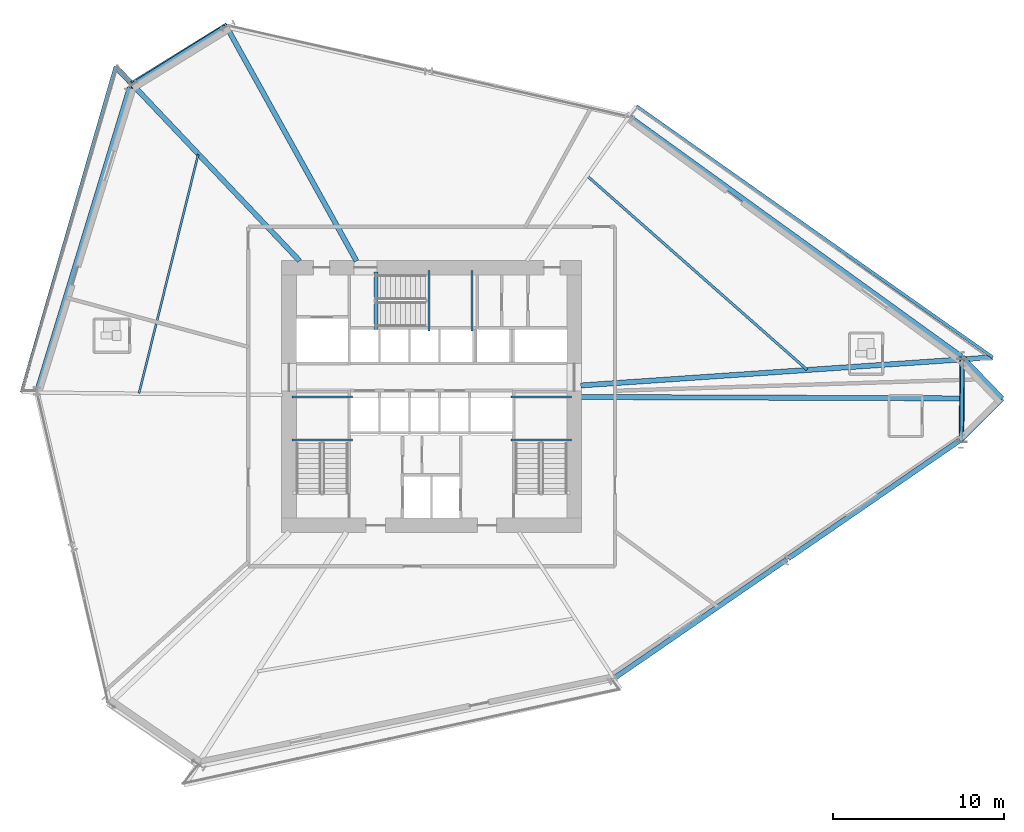
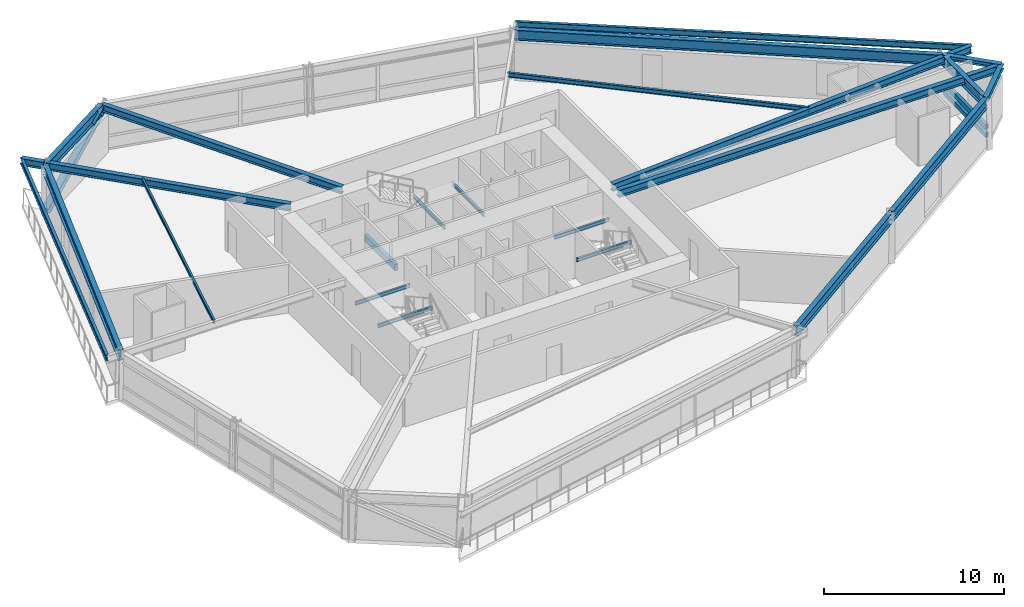
# One storey, part 7 of 23: 23 beams, 3 members.
"""IFC4 building model written with IfcOpenShell, lengths in metres."""

from ifc_helpers import new_model, si_unit, direction, frame, origin, origin_2d, place, context, subcontext, project, spatial, rectangle, hollow_rectangle, i_section, extrude, source, transform, mapped, material, material_profile, profile_set, type_object, element, save


model = new_model("IFC4")

# Units and contexts
model_context = context("Model", 3, precision=1e-05, world=origin(), true_north=direction((0.0, 1.0)))
body_context = subcontext(model_context, "Body", "Model", "MODEL_VIEW")
ifc_project = project(units=[si_unit("LENGTHUNIT", "METRE"), si_unit("AREAUNIT", "SQUARE_METRE"), si_unit("VOLUMEUNIT", "CUBIC_METRE"), si_unit("PLANEANGLEUNIT", "RADIAN"), si_unit("MASSUNIT", "GRAM", prefix="KILO")], contexts=[model_context])

# Site, building, storey
site_placement = place(None, origin())
site = spatial("IfcSite", under=ifc_project, at=site_placement, CompositionType="ELEMENT")
building_placement = place(site_placement, origin())
building = spatial("IfcBuilding", under=site, at=building_placement, Name="Olszyna Solenne Hotel", CompositionType="ELEMENT")
storey_placement = place(building_placement, frame((0.0, 0.0, 32.85009765625)))
storey = spatial("IfcBuildingStorey", under=building, at=storey_placement, Name="L07", CompositionType="ELEMENT", Elevation=32.85009765625)

# Beams
ifc_material_1 = material(Name="Steel S355J2", Category="steel")
ifc_material_profile_1 = material_profile(ifc_material_1, i_section(OverallWidth=0.300048828125, OverallDepth=0.699951171875, WebThickness=0.01708984375, FlangeThickness=0.031982421875, at=origin_2d()), Name="HEB 700", Category="load-bearing")
ifc_profile_set_1 = profile_set([ifc_material_profile_1], Name="Steel S355J2")
beam_type_1 = type_object("IfcBeamType", Name="BM-S1", PredefinedType="BEAM", material=ifc_profile_set_1)
shared_shape_1 = source(origin(), body_context, "Body", "SweptSolid", [
    extrude(i_section(OverallWidth=0.300048828125, OverallDepth=0.699951171875, WebThickness=0.01708984375, FlangeThickness=0.031982421875, at=origin_2d()), origin(), (0.0, 0.0, 1.0), 4.664794921875),
])
beam_1_placement = place(storey_placement, frame((68.92431640625, 24.169921875, 2.949951171875), z_axis=(0.008688042231, 0.999962258249, 0.0), x_axis=(-0.999962258249, 0.008688042231, 0.0)))
element("IfcBeam", 1, at=beam_1_placement, inside=storey, type_object=beam_type_1, Name="Perimeter spandrel beam BM-S1 B-L07-0231", PredefinedType="BEAM", context=body_context, shape_type="MappedRepresentation", body=[
    mapped(shared_shape_1, transform((0.0, 0.0, 0.0), x_axis=(1.0, 0.0, 0.0), y_axis=(0.0, 1.0, 0.0), z_axis=(0.0, 0.0, 1.0), scale=1.0)),
])
shared_shape_2 = source(origin(), body_context, "Body", "SweptSolid", [
    extrude(i_section(OverallWidth=0.300048828125, OverallDepth=0.699951171875, WebThickness=0.01708984375, FlangeThickness=0.031982421875, at=origin_2d()), origin(), (0.0, 0.0, 1.0), 12.20947265625),
])
for number, where, z_axis, x_axis, name in (
    (2, (48.661376953125, 10.162353515625, 2.949951171875), (0.823713894742, 0.567005661002, 0.0), (-0.567005661002, 0.823713894742, 0.0), "Perimeter spandrel beam BM-S1 B-L07-0241"),
    (3, (58.817138671875, 17.153076171875, 2.949951171875), (0.823713894742, 0.567005661002, 0.0), (-0.567005661002, 0.823713894742, 0.0), "Perimeter spandrel beam BM-S1 B-L07-0242"),
):
    element("IfcBeam", number, at=place(storey_placement, frame(where, z_axis=z_axis, x_axis=x_axis)), inside=storey, type_object=beam_type_1, Name=name, PredefinedType="BEAM", context=body_context, shape_type="MappedRepresentation", body=[
        mapped(shared_shape_2, transform((0.0, 0.0, 0.0), x_axis=(1.0, 0.0, 0.0), y_axis=(0.0, 1.0, 0.0), z_axis=(0.0, 0.0, 1.0), scale=1.0)),
    ])
ifc_material_profile_2 = material_profile(ifc_material_1, i_section(OverallWidth=0.300048828125, OverallDepth=0.31005859375, WebThickness=0.009033203125, FlangeThickness=0.015380859375, at=origin_2d()), Name="HEA 320", Category="load-bearing")
ifc_profile_set_2 = profile_set([ifc_material_profile_2], Name="Steel S355J2")
beam_type_2 = type_object("IfcBeamType", Name="BM-G3", PredefinedType="BEAM", material=ifc_profile_set_2)
shared_shape_3 = source(origin(), body_context, "Body", "SweptSolid", [
    extrude(i_section(OverallWidth=0.300048828125, OverallDepth=0.31005859375, WebThickness=0.009033203125, FlangeThickness=0.015380859375, at=origin_2d()), origin(), (0.0, 0.0, 1.0), 3.353515625),
])
for number, where, z_axis, x_axis, name in (
    (4, (68.923583984375, 24.10986328125, 3.14501953125), (0.706961166121, 0.707252366272, 0.0), (-0.707252366272, 0.706961166121, 0.0), "Prism side edge beam BM-G3 B-L07-0252"),
    (5, (68.96533203125, 28.894287109375, 3.14501953125), (0.694547738625, -0.719446619821, 0.0), (0.719446619821, 0.694547738625, 0.0), "Prism side edge beam BM-G3 B-L07-0253"),
):
    element("IfcBeam", number, at=place(storey_placement, frame(where, z_axis=z_axis, x_axis=x_axis)), inside=storey, type_object=beam_type_2, Name=name, PredefinedType="BEAM", context=body_context, shape_type="MappedRepresentation", body=[
        mapped(shared_shape_3, transform((0.0, 0.0, 0.0), x_axis=(1.0, 0.0, 0.0), y_axis=(0.0, 1.0, 0.0), z_axis=(0.0, 0.0, 1.0), scale=1.0)),
    ])
ifc_material_profile_3 = material_profile(ifc_material_1, i_section(OverallWidth=0.179931640625, OverallDepth=0.39990234375, WebThickness=0.008544921875, FlangeThickness=0.013427734375, at=origin_2d()), Name="IPE 400", Category="load-bearing")
ifc_profile_set_3 = profile_set([ifc_material_profile_3], Name="Steel S355J2")
beam_type_3 = type_object("IfcBeamType", Name="BM-F5", PredefinedType="BEAM", material=ifc_profile_set_3)
shared_shape_4 = source(origin(), body_context, "Body", "SweptSolid", [
    extrude(i_section(OverallWidth=0.179931640625, OverallDepth=0.39990234375, WebThickness=0.008544921875, FlangeThickness=0.013427734375, at=origin_2d()), origin(), (0.0, 0.0, 1.0), 19.792724609375),
])
beam_2_placement = place(storey_placement, frame((19.5478515625, 45.855224609375, 3.099853515625), z_axis=(-0.277002758663, -0.960869123082, 0.0), x_axis=(0.960869123082, -0.277002758663, 0.0)))
element("IfcBeam", 6, at=beam_2_placement, inside=storey, type_object=beam_type_3, Name="Loggia outer edge beam BM-F5 B-L07-0258", PredefinedType="BEAM", context=body_context, shape_type="MappedRepresentation", body=[
    mapped(shared_shape_4, transform((0.0, 0.0, 0.0), x_axis=(1.0, 0.0, 0.0), y_axis=(0.0, 1.0, 0.0), z_axis=(0.0, 0.0, 1.0), scale=1.0)),
])
shared_shape_5 = source(origin(), body_context, "Body", "SweptSolid", [
    extrude(i_section(OverallWidth=0.300048828125, OverallDepth=0.699951171875, WebThickness=0.01708984375, FlangeThickness=0.031982421875, at=origin_2d()), origin(), (0.0, 0.0, 1.0), 23.912109375),
])
beam_3_placement = place(storey_placement, frame((68.916748046875, 28.929443359375, 2.949951171875), z_axis=(-0.810666843784, 0.585507701392, 0.0), x_axis=(-0.585507701392, -0.810666843784, 0.0)))
element("IfcBeam", 7, at=beam_3_placement, inside=storey, type_object=beam_type_1, Name="Perimeter spandrel beam BM-S1 B-L07-0232", PredefinedType="BEAM", context=body_context, shape_type="MappedRepresentation", body=[
    mapped(shared_shape_5, transform((0.0, 0.0, 0.0), x_axis=(1.0, 0.0, 0.0), y_axis=(0.0, 1.0, 0.0), z_axis=(0.0, 0.0, 1.0), scale=1.0)),
])
shared_shape_6 = source(origin(), body_context, "Body", "SweptSolid", [
    extrude(i_section(OverallWidth=0.300048828125, OverallDepth=0.699951171875, WebThickness=0.01708984375, FlangeThickness=0.031982421875, at=origin_2d()), origin(), (0.0, 0.0, 1.0), 6.51123046875),
])
beam_4_placement = place(storey_placement, frame((25.97509765625, 48.156982421875, 2.949951171875), z_axis=(-0.848488754051, -0.529213410874, 0.0), x_axis=(0.529213410874, -0.848488754051, 0.0)))
element("IfcBeam", 8, at=beam_4_placement, inside=storey, type_object=beam_type_1, Name="Perimeter spandrel beam BM-S1 B-L07-0235", PredefinedType="BEAM", context=body_context, shape_type="MappedRepresentation", body=[
    mapped(shared_shape_6, transform((0.0, 0.0, 0.0), x_axis=(1.0, 0.0, 0.0), y_axis=(0.0, 1.0, 0.0), z_axis=(0.0, 0.0, 1.0), scale=1.0)),
])
shared_shape_7 = source(origin(), body_context, "Body", "SweptSolid", [
    extrude(i_section(OverallWidth=0.300048828125, OverallDepth=0.699951171875, WebThickness=0.01708984375, FlangeThickness=0.031982421875, at=origin_2d()), origin(), (0.0, 0.0, 1.0), 18.5380859375),
])
beam_5_placement = place(storey_placement, frame((20.382080078125, 44.6220703125, 2.949951171875), z_axis=(-0.291774173873, -0.956487235388, 0.0), x_axis=(0.956487235388, -0.291774173873, 0.0)))
element("IfcBeam", 9, at=beam_5_placement, inside=storey, type_object=beam_type_1, Name="Perimeter spandrel beam BM-S1 B-L07-0236", PredefinedType="BEAM", context=body_context, shape_type="MappedRepresentation", body=[
    mapped(shared_shape_7, transform((0.0, 0.0, 0.0), x_axis=(1.0, 0.0, 0.0), y_axis=(0.0, 1.0, 0.0), z_axis=(0.0, 0.0, 1.0), scale=1.0)),
])
ifc_material_profile_4 = material_profile(ifc_material_1, i_section(OverallWidth=0.300048828125, OverallDepth=0.489990234375, WebThickness=0.011962890625, FlangeThickness=0.02294921875, at=origin_2d()), Name="HEA 500", Category="load-bearing")
ifc_profile_set_4 = profile_set([ifc_material_profile_4], Name="Steel S355J2")
beam_type_4 = type_object("IfcBeamType", Name="BM-G1", PredefinedType="BEAM", material=ifc_profile_set_4)
shared_shape_8 = source(origin(), body_context, "Body", "SweptSolid", [
    extrude(i_section(OverallWidth=0.300048828125, OverallDepth=0.489990234375, WebThickness=0.011962890625, FlangeThickness=0.02294921875, at=origin_2d()), origin(), (0.0, 0.0, 1.0), 24.57470703125),
])
beam_6_placement = place(storey_placement, frame((71.2744140625, 26.481689453125, 3.054931640625), z_axis=(-0.9999931709, 0.003695693887, 0.0), x_axis=(-0.003695693887, -0.9999931709, 0.0)))
element("IfcBeam", 10, at=beam_6_placement, inside=storey, type_object=beam_type_4, Name="Radial floor girder BM-G1 B-L07-0243", PredefinedType="BEAM", context=body_context, shape_type="MappedRepresentation", body=[
    mapped(shared_shape_8, transform((0.0, 0.0, 0.0), x_axis=(1.0, 0.0, 0.0), y_axis=(0.0, 1.0, 0.0), z_axis=(0.0, 0.0, 1.0), scale=1.0)),
])
shared_shape_9 = source(origin(), body_context, "Body", "SweptSolid", [
    extrude(i_section(OverallWidth=0.300048828125, OverallDepth=0.489990234375, WebThickness=0.011962890625, FlangeThickness=0.02294921875, at=origin_2d()), origin(), (0.0, 0.0, 1.0), 24.08203125),
])
beam_7_placement = place(storey_placement, frame((70.726318359375, 28.885986328125, 3.054931640625), z_axis=(-0.997674630157, -0.06815667495, 0.0), x_axis=(0.06815667495, -0.997674630157, 0.0)))
element("IfcBeam", 11, at=beam_7_placement, inside=storey, type_object=beam_type_4, Name="Radial floor girder BM-G1 B-L07-0244", PredefinedType="BEAM", context=body_context, shape_type="MappedRepresentation", body=[
    mapped(shared_shape_9, transform((0.0, 0.0, 0.0), x_axis=(1.0, 0.0, 0.0), y_axis=(0.0, 1.0, 0.0), z_axis=(0.0, 0.0, 1.0), scale=1.0)),
])
shared_shape_10 = source(origin(), body_context, "Body", "SweptSolid", [
    extrude(i_section(OverallWidth=0.300048828125, OverallDepth=0.489990234375, WebThickness=0.011962890625, FlangeThickness=0.02294921875, at=origin_2d()), origin(), (0.0, 0.0, 1.0), 15.586181640625),
])
beam_8_placement = place(storey_placement, frame((26.05517578125, 48.136474609375, 3.054931640625), z_axis=(0.485031035565, -0.874496937981, 0.0), x_axis=(0.874496937981, 0.485031035565, 0.0)))
element("IfcBeam", 12, at=beam_8_placement, inside=storey, type_object=beam_type_4, Name="Radial floor girder BM-G1 B-L07-0246", PredefinedType="BEAM", context=body_context, shape_type="MappedRepresentation", body=[
    mapped(shared_shape_10, transform((0.0, 0.0, 0.0), x_axis=(1.0, 0.0, 0.0), y_axis=(0.0, 1.0, 0.0), z_axis=(0.0, 0.0, 1.0), scale=1.0)),
])
shared_shape_11 = source(origin(), body_context, "Body", "SweptSolid", [
    extrude(i_section(OverallWidth=0.300048828125, OverallDepth=0.489990234375, WebThickness=0.011962890625, FlangeThickness=0.02294921875, at=origin_2d()), origin(), (0.0, 0.0, 1.0), 15.604736328125),
])
beam_9_placement = place(storey_placement, frame((19.561767578125, 45.8408203125, 3.054931640625), z_axis=(0.687850092947, -0.725852774075, 0.0), x_axis=(0.725852774075, 0.687850092947, 0.0)))
element("IfcBeam", 13, at=beam_9_placement, inside=storey, type_object=beam_type_4, Name="Radial floor girder BM-G1 B-L07-0247", PredefinedType="BEAM", context=body_context, shape_type="MappedRepresentation", body=[
    mapped(shared_shape_11, transform((0.0, 0.0, 0.0), x_axis=(1.0, 0.0, 0.0), y_axis=(0.0, 1.0, 0.0), z_axis=(0.0, 0.0, 1.0), scale=1.0)),
])
ifc_material_profile_5 = material_profile(ifc_material_1, i_section(OverallWidth=0.14990234375, OverallDepth=0.300048828125, WebThickness=0.007080078125, FlangeThickness=0.0107421875, at=origin_2d()), Name="IPE 300", Category="load-bearing")
ifc_profile_set_5 = profile_set([ifc_material_profile_5], Name="Steel S355J2")
beam_type_5 = type_object("IfcBeamType", Name="JS-02", PredefinedType="JOIST", material=ifc_profile_set_5)
shared_shape_12 = source(origin(), body_context, "Body", "SweptSolid", [
    extrude(i_section(OverallWidth=0.14990234375, OverallDepth=0.300048828125, WebThickness=0.007080078125, FlangeThickness=0.0107421875, at=origin_2d()), origin(), (0.0, 0.0, 1.0), 17.098388671875),
])
beam_10_placement = place(storey_placement, frame((59.910400390625, 28.161376953125, 3.14990234375), z_axis=(-0.750150704467, 0.66126690571, 0.0), x_axis=(-0.66126690571, -0.750150704467, 0.0)))
element("IfcBeam", 14, at=beam_10_placement, inside=storey, type_object=beam_type_5, Name="Secondary composite floor joist JS-02 B-L07-0254", PredefinedType="JOIST", context=body_context, shape_type="MappedRepresentation", body=[
    mapped(shared_shape_12, transform((0.0, 0.0, 0.0), x_axis=(1.0, 0.0, 0.0), y_axis=(0.0, 1.0, 0.0), z_axis=(0.0, 0.0, 1.0), scale=1.0)),
])
ifc_material_profile_6 = material_profile(ifc_material_1, i_section(OverallWidth=0.1201171875, OverallDepth=0.239990234375, WebThickness=0.006103515625, FlangeThickness=0.009765625, at=origin_2d()), Name="IPE 240", Category="load-bearing")
ifc_profile_set_6 = profile_set([ifc_material_profile_6], Name="Steel S355J2")
beam_type_6 = type_object("IfcBeamType", Name="JS-03", PredefinedType="JOIST", material=ifc_profile_set_6)
shared_shape_13 = source(origin(), body_context, "Body", "SweptSolid", [
    extrude(i_section(OverallWidth=0.1201171875, OverallDepth=0.239990234375, WebThickness=0.006103515625, FlangeThickness=0.009765625, at=origin_2d()), origin(), (0.0, 0.0, 1.0), 14.364501953125),
])
beam_11_placement = place(storey_placement, frame((24.37939453125, 40.732421875, 3.179931640625), z_axis=(-0.240427530209, -0.970667091601, 0.0), x_axis=(0.970667091601, -0.240427530209, 0.0)))
element("IfcBeam", 15, at=beam_11_placement, inside=storey, type_object=beam_type_6, Name="Secondary composite floor joist JS-03 B-L07-0255", PredefinedType="JOIST", context=body_context, shape_type="MappedRepresentation", body=[
    mapped(shared_shape_13, transform((0.0, 0.0, 0.0), x_axis=(1.0, 0.0, 0.0), y_axis=(0.0, 1.0, 0.0), z_axis=(0.0, 0.0, 1.0), scale=1.0)),
])
shared_shape_14 = source(origin(), body_context, "Body", "SweptSolid", [
    extrude(i_section(OverallWidth=0.179931640625, OverallDepth=0.39990234375, WebThickness=0.008544921875, FlangeThickness=0.013427734375, at=origin_2d()), origin(), (0.0, 0.0, 1.0), 25.447021484375),
])
beam_12_placement = place(storey_placement, frame((70.746337890625, 28.88720703125, 3.099853515625), z_axis=(-0.817316290098, 0.576189276141, 0.0), x_axis=(-0.576189276141, -0.817316290098, 0.0)))
element("IfcBeam", 16, at=beam_12_placement, inside=storey, type_object=beam_type_3, Name="Loggia outer edge beam BM-F5 B-L07-0257", PredefinedType="BEAM", context=body_context, shape_type="MappedRepresentation", body=[
    mapped(shared_shape_14, transform((0.0, 0.0, 0.0), x_axis=(1.0, 0.0, 0.0), y_axis=(0.0, 1.0, 0.0), z_axis=(0.0, 0.0, 1.0), scale=1.0)),
])

# Members
ifc_material_profile_7 = material_profile(ifc_material_1, hollow_rectangle(XDim=0.199951171875, YDim=0.300048828125, WallThickness=0.01611328125, at=origin_2d()), Name="RHS 300x200x16", Category="load-bearing")
ifc_profile_set_7 = profile_set([ifc_material_profile_7], Name="Steel S355J2")
member_type_1 = type_object("IfcMemberType", Name="CH-PR1", PredefinedType="CHORD", material=ifc_profile_set_7)
shared_shape_15 = source(origin(), body_context, "Body", "SweptSolid", [
    extrude(hollow_rectangle(XDim=0.199951171875, YDim=0.300048828125, WallThickness=0.01611328125, at=origin_2d()), origin(), (0.0, 0.0, 1.0), 4.78466796875),
])
for number, where, z_axis, x_axis, name in (
    (17, (68.91259765625, 23.97509765625, 1.349853515625), (0.013062775957, 0.999914678302, 0.0), (-0.999914678302, 0.013062775957, 0.0), "Glass-prism tie chord CH-PR1 M-L07-PR1"),
    (18, (68.91259765625, 23.97509765625, 0.77978515625), (0.013062775957, 0.999914678302, 0.0), (-0.999914678302, 0.013062775957, 0.0), "Glass-prism tie chord CH-PR1 M-L07-PR2"),
):
    element("IfcMember", number, at=place(storey_placement, frame(where, z_axis=z_axis, x_axis=x_axis)), inside=storey, type_object=member_type_1, Name=name, PredefinedType="CHORD", context=body_context, shape_type="MappedRepresentation", body=[
        mapped(shared_shape_15, transform((0.0, 0.0, 0.0), x_axis=(1.0, 0.0, 0.0), y_axis=(0.0, 1.0, 0.0), z_axis=(0.0, 0.0, 1.0), scale=1.0)),
    ])
ifc_material_2 = material(Name="Steel S460M", Category="steel")
ifc_material_profile_8 = material_profile(ifc_material_2, i_section(OverallWidth=0.412109375, OverallDepth=0.43505859375, WebThickness=0.031494140625, FlangeThickness=0.050048828125, at=origin_2d()), Name="HD 400x463", Category="load-bearing")
ifc_profile_set_8 = profile_set([ifc_material_profile_8], Name="Steel S460M")
member_type_2 = type_object("IfcMemberType", Name="BR-T1", PredefinedType="BRACE", material=ifc_profile_set_8)
shared_shape_16 = source(origin(), body_context, "Body", "SweptSolid", [
    extrude(i_section(OverallWidth=0.412109375, OverallDepth=0.43505859375, WebThickness=0.031494140625, FlangeThickness=0.050048828125, at=origin_2d()), origin(), (0.0, 0.0, 1.0), 7.141357421875),
])
member_placement = place(storey_placement, frame((20.478515625, 44.756103515625, 0.010009765625), z_axis=(0.776833656887, 0.480704926704, 0.406758211928), x_axis=(-0.526202583576, 0.850359242343, 0.0)))
element("IfcMember", 19, at=member_placement, inside=storey, type_object=member_type_2, Name="Perimeter braced-tube diagonal BR-T1 BR-L07-2", PredefinedType="BRACE", context=body_context, shape_type="MappedRepresentation", body=[
    mapped(shared_shape_16, transform((0.0, 0.0, 0.0), x_axis=(1.0, 0.0, 0.0), y_axis=(0.0, 1.0, 0.0), z_axis=(0.0, 0.0, 1.0), scale=1.0)),
])

# Beams
shared_shape_17 = source(origin(), body_context, "Body", "SweptSolid", [
    extrude(i_section(OverallWidth=0.1201171875, OverallDepth=0.239990234375, WebThickness=0.006103515625, FlangeThickness=0.009765625, at=origin_2d()), origin(), (0.0, 0.0, 1.0), 3.539794921875),
])
for number, where, z_axis, x_axis, name in (
    (20, (33.3798828125, 24.070068359375, 1.449951171875), (-1.0, 0.0, 0.0), (0.0, -1.0, 0.0), "Stair landing support beam JS-03 SLB-ST1-0019"),
    (21, (33.3798828125, 26.580078125, 1.449951171875), (-1.0, 0.0, 0.0), (0.0, -1.0, 0.0), "Stair landing support beam JS-03 SLB-ST1-0020"),
    (22, (46.159912109375, 24.070068359375, 1.449951171875), (-1.0, 0.0, 0.0), (0.0, -1.0, 0.0), "Stair landing support beam JS-03 SLB-ST2-0259"),
    (23, (46.159912109375, 26.580078125, 1.449951171875), (-1.0, 0.0, 0.0), (0.0, -1.0, 0.0), "Stair landing support beam JS-03 SLB-ST2-0260"),
):
    element("IfcBeam", number, at=place(storey_placement, frame(where, z_axis=z_axis, x_axis=x_axis)), inside=storey, type_object=beam_type_6, Name=name, PredefinedType="JOIST", context=body_context, shape_type="MappedRepresentation", body=[
        mapped(shared_shape_17, transform((0.0, 0.0, 0.0), x_axis=(1.0, 0.0, 0.0), y_axis=(0.0, 1.0, 0.0), z_axis=(0.0, 0.0, 1.0), scale=1.0)),
    ])
shared_shape_18 = source(origin(), body_context, "Body", "SweptSolid", [
    extrude(i_section(OverallWidth=0.1201171875, OverallDepth=0.239990234375, WebThickness=0.006103515625, FlangeThickness=0.009765625, at=origin_2d()), origin(), (0.0, 0.0, 1.0), 3.5400390625),
])
for number, where, z_axis, x_axis, name in (
    (24, (37.85009765625, 30.419921875, 1.449951171875), (0.0, 1.0, 0.0), (-1.0, 0.0, 0.0), "Stair landing support beam JS-03 SLB-ST3-0499"),
    (25, (40.360107421875, 30.419921875, 1.449951171875), (0.0, 1.0, 0.0), (-1.0, 0.0, 0.0), "Stair landing support beam JS-03 SLB-ST3-0500"),
):
    element("IfcBeam", number, at=place(storey_placement, frame(where, z_axis=z_axis, x_axis=x_axis)), inside=storey, type_object=beam_type_6, Name=name, PredefinedType="JOIST", context=body_context, shape_type="MappedRepresentation", body=[
        mapped(shared_shape_18, transform((0.0, 0.0, 0.0), x_axis=(1.0, 0.0, 0.0), y_axis=(0.0, 1.0, 0.0), z_axis=(0.0, 0.0, 1.0), scale=1.0)),
    ])
ifc_material_3 = material(Name="Concrete C50/60", Category="concrete")
ifc_material_profile_9 = material_profile(ifc_material_3, rectangle(XDim=0.219970703125, YDim=0.43994140625, at=origin_2d()), Name="RC 220x440", Category="load-bearing")
ifc_profile_set_9 = profile_set([ifc_material_profile_9], Name="Concrete C50/60")
beam_type_7 = type_object("IfcBeamType", Name="BM-ST1", PredefinedType="BEAM", material=ifc_profile_set_9)
shared_shape_19 = source(origin(), body_context, "Body", "SweptSolid", [
    extrude(rectangle(XDim=0.219970703125, YDim=0.43994140625, at=origin_2d()), origin(), (0.0, 0.0, 1.0), 3.3798828125),
])
beam_13_placement = place(storey_placement, frame((34.760009765625, 30.5, -0.205078125), z_axis=(0.0, 1.0, 0.0), x_axis=(-1.0, 0.0, 0.0)))
element("IfcBeam", 26, at=beam_13_placement, inside=storey, type_object=beam_type_7, Name="Concrete stair trimmer beam BM-ST1 SHB-ST3-0647", PredefinedType="BEAM", context=body_context, shape_type="MappedRepresentation", body=[
    mapped(shared_shape_19, transform((0.0, 0.0, 0.0), x_axis=(1.0, 0.0, 0.0), y_axis=(0.0, 1.0, 0.0), z_axis=(0.0, 0.0, 1.0), scale=1.0)),
])

save(model, "model.ifc")
